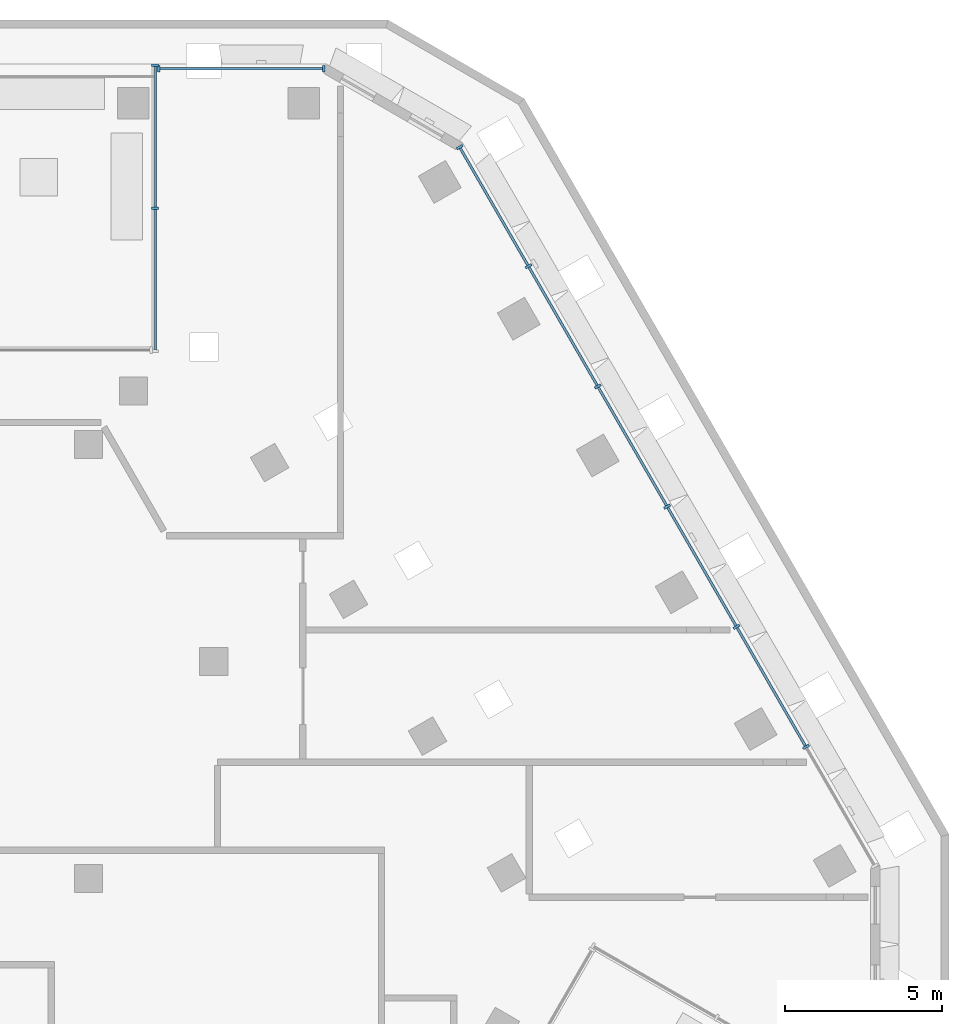
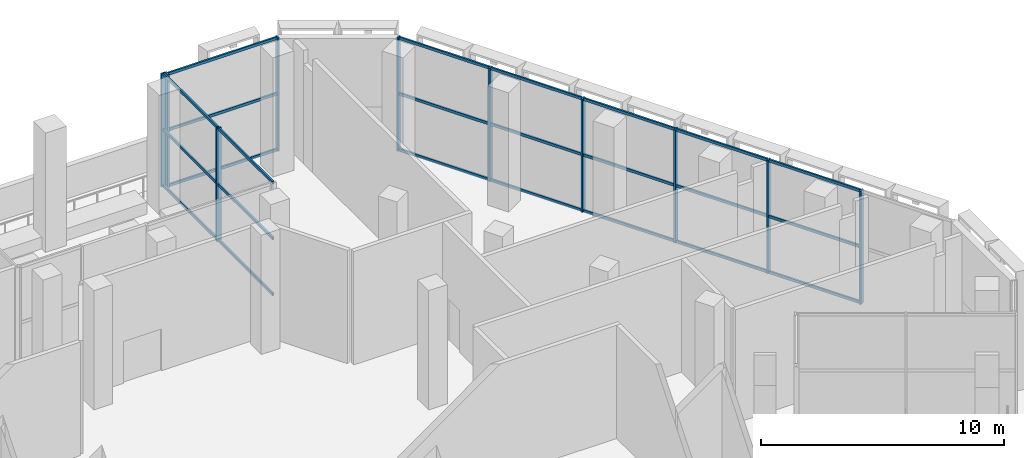
# One storey, part 5 of 23: 34 members, 3 elements without a shape of their own.
"""IFC4 building model written with IfcOpenShell, lengths in metres."""

from ifc_helpers import new_model, si_unit, direction, frame, origin, origin_2d, place, context, subcontext, project, spatial, rectangle, hollow_rectangle, extrude, material, material_profile, profile_set, type_object, element, aggregate, save


model = new_model("IFC4")

# Units and contexts
model_context = context("Model", 3, precision=1e-05, world=origin(), true_north=direction((0.0, 1.0)))
body_context = subcontext(model_context, "Body", "Model", "MODEL_VIEW")
ifc_project = project(units=[si_unit("LENGTHUNIT", "METRE"), si_unit("AREAUNIT", "SQUARE_METRE"), si_unit("VOLUMEUNIT", "CUBIC_METRE"), si_unit("PLANEANGLEUNIT", "RADIAN"), si_unit("MASSUNIT", "GRAM", prefix="KILO")], contexts=[model_context])

# Site, building, storey
site_placement = place(None, origin())
site = spatial("IfcSite", under=ifc_project, at=site_placement, CompositionType="ELEMENT")
building_placement = place(site_placement, origin())
building = spatial("IfcBuilding", under=site, at=building_placement, Name="Beryl Residences", CompositionType="ELEMENT")
storey_placement = place(building_placement, frame((0.0, 0.0, 66.0)))
storey = spatial("IfcBuildingStorey", under=building, at=storey_placement, Name="L20", CompositionType="ELEMENT", Elevation=66.0)

# Curtain wall, members
ifc_material_1 = material(Name="Aluminium and clear glass", Category="aluminium")
curtain_wall_type = type_object("IfcCurtainWallType", Name="CW3 sky garden glazing glazed wall", PredefinedType="NOTDEFINED", material=ifc_material_1)
curtain_wall_1_placement = place(storey_placement, origin())
curtain_wall_1 = element("IfcCurtainWall", 1, at=curtain_wall_1_placement, inside=storey, type_object=curtain_wall_type, Name="CW3 L20 N", PredefinedType="NOTDEFINED")
ifc_material_2 = material(Name="Aluminium", Category="aluminium")
ifc_material_profile_1 = material_profile(ifc_material_2, rectangle(XDim=0.080078125, YDim=0.219970703125, at=origin_2d()))
ifc_profile_set_1 = profile_set([ifc_material_profile_1], Name="Aluminium")
member_type_1 = type_object("IfcMemberType", Name="CW3-M mullion 80 x 220 mm", PredefinedType="MULLION", material=ifc_profile_set_1)
member_1_placement = place(storey_placement, frame((11.467041015625, 26.85009765625, 0.0), z_axis=(0.0, 0.0, 1.0), x_axis=(-1.0, 0.0, 0.0)))
member_1 = element("IfcMember", 2, at=member_1_placement, type_object=member_type_1, Name="CW3 mullion 1", PredefinedType="MULLION", context=body_context, shape_type="SweptSolid", body=[
    extrude(rectangle(XDim=0.080078125, YDim=0.219970703125, at=origin_2d()), origin(), (0.0, 0.0, 1.0), 5.699951171875),
])
member_2_placement = place(storey_placement, frame((6.215087890625, 26.85009765625, 0.0), z_axis=(0.0, 0.0, 1.0), x_axis=(-1.0, 0.0, 0.0)))
member_2 = element("IfcMember", 3, at=member_2_placement, type_object=member_type_1, Name="CW3 mullion 2", PredefinedType="MULLION", context=body_context, shape_type="SweptSolid", body=[
    extrude(rectangle(XDim=0.080078125, YDim=0.219970703125, at=origin_2d()), origin(), (0.0, 0.0, 1.0), 5.699951171875),
])

curtain_wall_2_placement = place(storey_placement, origin())
curtain_wall_2 = element("IfcCurtainWall", 4, at=curtain_wall_2_placement, inside=storey, type_object=curtain_wall_type, Name="CW3 L20 NE", PredefinedType="NOTDEFINED")
member_3_placement = place(storey_placement, frame((26.800537109375, 5.28173828125, 0.0), z_axis=(0.0, 0.0, 1.0), x_axis=(-0.500010149942, 0.866019543634, 0.0)))
member_3 = element("IfcMember", 5, at=member_3_placement, type_object=member_type_1, Name="CW3 mullion 2", PredefinedType="MULLION", context=body_context, shape_type="SweptSolid", body=[
    extrude(rectangle(XDim=0.080078125, YDim=0.219970703125, at=origin_2d()), origin(), (0.0, 0.0, 1.0), 5.699951171875),
])
member_4_placement = place(storey_placement, frame((24.593994140625, 9.103271484375, 0.0), z_axis=(0.0, 0.0, 1.0), x_axis=(-0.500010149942, 0.866019543634, 0.0)))
member_4 = element("IfcMember", 6, at=member_4_placement, type_object=member_type_1, Name="CW3 mullion 3", PredefinedType="MULLION", context=body_context, shape_type="SweptSolid", body=[
    extrude(rectangle(XDim=0.080078125, YDim=0.219970703125, at=origin_2d()), origin(), (0.0, 0.0, 1.0), 5.699951171875),
])
member_5_placement = place(storey_placement, frame((22.387451171875, 12.925048828125, 0.0), z_axis=(0.0, 0.0, 1.0), x_axis=(-0.500010149942, 0.866019543634, 0.0)))
member_5 = element("IfcMember", 7, at=member_5_placement, type_object=member_type_1, Name="CW3 mullion 4", PredefinedType="MULLION", context=body_context, shape_type="SweptSolid", body=[
    extrude(rectangle(XDim=0.080078125, YDim=0.219970703125, at=origin_2d()), origin(), (0.0, 0.0, 1.0), 5.699951171875),
])
member_6_placement = place(storey_placement, frame((20.180908203125, 16.74658203125, 0.0), z_axis=(0.0, 0.0, 1.0), x_axis=(-0.500010149942, 0.866019543634, 0.0)))
member_6 = element("IfcMember", 8, at=member_6_placement, type_object=member_type_1, Name="CW3 mullion 5", PredefinedType="MULLION", context=body_context, shape_type="SweptSolid", body=[
    extrude(rectangle(XDim=0.080078125, YDim=0.219970703125, at=origin_2d()), origin(), (0.0, 0.0, 1.0), 5.699951171875),
])
member_7_placement = place(storey_placement, frame((17.974609375, 20.568359375, 0.0), z_axis=(0.0, 0.0, 1.0), x_axis=(-0.500010149942, 0.866019543634, 0.0)))
member_7 = element("IfcMember", 9, at=member_7_placement, type_object=member_type_1, Name="CW3 mullion 6", PredefinedType="MULLION", context=body_context, shape_type="SweptSolid", body=[
    extrude(rectangle(XDim=0.080078125, YDim=0.219970703125, at=origin_2d()), origin(), (0.0, 0.0, 1.0), 5.699951171875),
])
member_8_placement = place(storey_placement, frame((15.7880859375, 24.35546875, 0.0), z_axis=(0.0, 0.0, 1.0), x_axis=(-0.500010149942, 0.866019543634, 0.0)))
member_8 = element("IfcMember", 10, at=member_8_placement, type_object=member_type_1, Name="CW3 mullion 7", PredefinedType="MULLION", context=body_context, shape_type="SweptSolid", body=[
    extrude(rectangle(XDim=0.080078125, YDim=0.219970703125, at=origin_2d()), origin(), (0.0, 0.0, 1.0), 5.699951171875),
])

curtain_wall_3_placement = place(storey_placement, origin())
curtain_wall_3 = element("IfcCurtainWall", 11, at=curtain_wall_3_placement, inside=storey, type_object=curtain_wall_type, Name="CW3 L20 N garden left", PredefinedType="NOTDEFINED")
member_9_placement = place(storey_placement, frame((6.10009765625, 26.9599609375, 0.0), z_axis=(0.0, 0.0, 1.0), x_axis=(0.0, -1.0, 0.0)))
member_9 = element("IfcMember", 12, at=member_9_placement, type_object=member_type_1, Name="CW3 mullion 1", PredefinedType="MULLION", context=body_context, shape_type="SweptSolid", body=[
    extrude(rectangle(XDim=0.080078125, YDim=0.219970703125, at=origin_2d()), origin(), (0.0, 0.0, 1.0), 5.699951171875),
])
member_10_placement = place(storey_placement, frame((6.10009765625, 22.41259765625, 0.0), z_axis=(0.0, 0.0, 1.0), x_axis=(0.0, -1.0, 0.0)))
member_10 = element("IfcMember", 13, at=member_10_placement, type_object=member_type_1, Name="CW3 mullion 2", PredefinedType="MULLION", context=body_context, shape_type="SweptSolid", body=[
    extrude(rectangle(XDim=0.080078125, YDim=0.219970703125, at=origin_2d()), origin(), (0.0, 0.0, 1.0), 5.699951171875),
])

# Member
ifc_material_3 = material(Name="Aluminium", Category="aluminium")
ifc_material_profile_2 = material_profile(ifc_material_3, hollow_rectangle(XDim=0.080078125, YDim=0.139892578125, WallThickness=0.00390625, at=origin_2d()))
ifc_profile_set_2 = profile_set([ifc_material_profile_2], Name="Aluminium")
member_type_2 = type_object("IfcMemberType", Name="CW3-T transom 80 x 140 mm", PredefinedType="USERDEFINED", material=ifc_profile_set_2)
member_11_placement = place(storey_placement, frame((11.427001953125, 26.85009765625, 0.0400390625), z_axis=(-1.0, 0.0, 0.0), x_axis=(0.0, -1.0, 0.0)))
member_11 = element("IfcMember", 14, at=member_11_placement, type_object=member_type_2, Name="CW3 transom 1.1", ObjectType="TRANSOM", PredefinedType="USERDEFINED", context=body_context, shape_type="SweptSolid", body=[
    extrude(hollow_rectangle(XDim=0.080078125, YDim=0.139892578125, WallThickness=0.00390625, at=origin_2d()), origin(), (0.0, 0.0, 1.0), 5.172119140625),
])

member_12_placement = place(storey_placement, frame((11.427001953125, 26.85009765625, 2.85009765625), z_axis=(-1.0, 0.0, 0.0), x_axis=(0.0, -1.0, 0.0)))
member_12 = element("IfcMember", 15, at=member_12_placement, type_object=member_type_2, Name="CW3 transom 1.2", ObjectType="TRANSOM", PredefinedType="USERDEFINED", context=body_context, shape_type="SweptSolid", body=[
    extrude(hollow_rectangle(XDim=0.080078125, YDim=0.139892578125, WallThickness=0.00390625, at=origin_2d()), origin(), (0.0, 0.0, 1.0), 5.172119140625),
])

member_13_placement = place(storey_placement, frame((11.427001953125, 26.85009765625, 5.659912109375), z_axis=(-1.0, 0.0, 0.0), x_axis=(0.0, -1.0, 0.0)))
member_13 = element("IfcMember", 16, at=member_13_placement, type_object=member_type_2, Name="CW3 transom 1.3", ObjectType="TRANSOM", PredefinedType="USERDEFINED", context=body_context, shape_type="SweptSolid", body=[
    extrude(hollow_rectangle(XDim=0.080078125, YDim=0.139892578125, WallThickness=0.00390625, at=origin_2d()), origin(), (0.0, 0.0, 1.0), 5.172119140625),
])

aggregate(curtain_wall_1, [member_1, member_2, member_11, member_12, member_13])

member_14_placement = place(storey_placement, frame((26.780517578125, 5.31640625, 0.0400390625), z_axis=(-0.500029739169, 0.866008233186, 0.0), x_axis=(-0.866008233186, -0.500029739169, 0.0)))
member_14 = element("IfcMember", 17, at=member_14_placement, type_object=member_type_2, Name="CW3 transom 2.1", ObjectType="TRANSOM", PredefinedType="USERDEFINED", context=body_context, shape_type="SweptSolid", body=[
    extrude(hollow_rectangle(XDim=0.080078125, YDim=0.139892578125, WallThickness=0.00390625, at=origin_2d()), origin(), (0.0, 0.0, 1.0), 4.332763671875),
])

member_15_placement = place(storey_placement, frame((26.780517578125, 5.31640625, 2.85009765625), z_axis=(-0.500029739169, 0.866008233186, 0.0), x_axis=(-0.866008233186, -0.500029739169, 0.0)))
member_15 = element("IfcMember", 18, at=member_15_placement, type_object=member_type_2, Name="CW3 transom 2.2", ObjectType="TRANSOM", PredefinedType="USERDEFINED", context=body_context, shape_type="SweptSolid", body=[
    extrude(hollow_rectangle(XDim=0.080078125, YDim=0.139892578125, WallThickness=0.00390625, at=origin_2d()), origin(), (0.0, 0.0, 1.0), 4.332763671875),
])

member_16_placement = place(storey_placement, frame((26.780517578125, 5.31640625, 5.659912109375), z_axis=(-0.500029739169, 0.866008233186, 0.0), x_axis=(-0.866008233186, -0.500029739169, 0.0)))
member_16 = element("IfcMember", 19, at=member_16_placement, type_object=member_type_2, Name="CW3 transom 2.3", ObjectType="TRANSOM", PredefinedType="USERDEFINED", context=body_context, shape_type="SweptSolid", body=[
    extrude(hollow_rectangle(XDim=0.080078125, YDim=0.139892578125, WallThickness=0.00390625, at=origin_2d()), origin(), (0.0, 0.0, 1.0), 4.332763671875),
])

member_17_placement = place(storey_placement, frame((24.573974609375, 9.137939453125, 0.0400390625), z_axis=(-0.500005339912, 0.866022320763, 0.0), x_axis=(-0.866022320763, -0.500005339912, 0.0)))
member_17 = element("IfcMember", 20, at=member_17_placement, type_object=member_type_2, Name="CW3 transom 3.1", ObjectType="TRANSOM", PredefinedType="USERDEFINED", context=body_context, shape_type="SweptSolid", body=[
    extrude(hollow_rectangle(XDim=0.080078125, YDim=0.139892578125, WallThickness=0.00390625, at=origin_2d()), origin(), (0.0, 0.0, 1.0), 4.3330078125),
])

member_18_placement = place(storey_placement, frame((24.573974609375, 9.137939453125, 2.85009765625), z_axis=(-0.500005339912, 0.866022320763, 0.0), x_axis=(-0.866022320763, -0.500005339912, 0.0)))
member_18 = element("IfcMember", 21, at=member_18_placement, type_object=member_type_2, Name="CW3 transom 3.2", ObjectType="TRANSOM", PredefinedType="USERDEFINED", context=body_context, shape_type="SweptSolid", body=[
    extrude(hollow_rectangle(XDim=0.080078125, YDim=0.139892578125, WallThickness=0.00390625, at=origin_2d()), origin(), (0.0, 0.0, 1.0), 4.3330078125),
])

member_19_placement = place(storey_placement, frame((24.573974609375, 9.137939453125, 5.659912109375), z_axis=(-0.500005339912, 0.866022320763, 0.0), x_axis=(-0.866022320763, -0.500005339912, 0.0)))
member_19 = element("IfcMember", 22, at=member_19_placement, type_object=member_type_2, Name="CW3 transom 3.3", ObjectType="TRANSOM", PredefinedType="USERDEFINED", context=body_context, shape_type="SweptSolid", body=[
    extrude(hollow_rectangle(XDim=0.080078125, YDim=0.139892578125, WallThickness=0.00390625, at=origin_2d()), origin(), (0.0, 0.0, 1.0), 4.3330078125),
])

member_20_placement = place(storey_placement, frame((22.367431640625, 12.959716796875, 0.0400390625), z_axis=(-0.500029739169, 0.866008233186, 0.0), x_axis=(-0.866008233186, -0.500029739169, 0.0)))
member_20 = element("IfcMember", 23, at=member_20_placement, type_object=member_type_2, Name="CW3 transom 4.1", ObjectType="TRANSOM", PredefinedType="USERDEFINED", context=body_context, shape_type="SweptSolid", body=[
    extrude(hollow_rectangle(XDim=0.080078125, YDim=0.139892578125, WallThickness=0.00390625, at=origin_2d()), origin(), (0.0, 0.0, 1.0), 4.332763671875),
])

member_21_placement = place(storey_placement, frame((22.367431640625, 12.959716796875, 2.85009765625), z_axis=(-0.500029739169, 0.866008233186, 0.0), x_axis=(-0.866008233186, -0.500029739169, 0.0)))
member_21 = element("IfcMember", 24, at=member_21_placement, type_object=member_type_2, Name="CW3 transom 4.2", ObjectType="TRANSOM", PredefinedType="USERDEFINED", context=body_context, shape_type="SweptSolid", body=[
    extrude(hollow_rectangle(XDim=0.080078125, YDim=0.139892578125, WallThickness=0.00390625, at=origin_2d()), origin(), (0.0, 0.0, 1.0), 4.332763671875),
])

member_22_placement = place(storey_placement, frame((22.367431640625, 12.959716796875, 5.659912109375), z_axis=(-0.500029739169, 0.866008233186, 0.0), x_axis=(-0.866008233186, -0.500029739169, 0.0)))
member_22 = element("IfcMember", 25, at=member_22_placement, type_object=member_type_2, Name="CW3 transom 4.3", ObjectType="TRANSOM", PredefinedType="USERDEFINED", context=body_context, shape_type="SweptSolid", body=[
    extrude(hollow_rectangle(XDim=0.080078125, YDim=0.139892578125, WallThickness=0.00390625, at=origin_2d()), origin(), (0.0, 0.0, 1.0), 4.332763671875),
])

member_23_placement = place(storey_placement, frame((20.160888671875, 16.78125, 0.0400390625), z_axis=(-0.500005339912, 0.866022320763, 0.0), x_axis=(-0.866022320763, -0.500005339912, 0.0)))
member_23 = element("IfcMember", 26, at=member_23_placement, type_object=member_type_2, Name="CW3 transom 5.1", ObjectType="TRANSOM", PredefinedType="USERDEFINED", context=body_context, shape_type="SweptSolid", body=[
    extrude(hollow_rectangle(XDim=0.080078125, YDim=0.139892578125, WallThickness=0.00390625, at=origin_2d()), origin(), (0.0, 0.0, 1.0), 4.3330078125),
])

member_24_placement = place(storey_placement, frame((20.160888671875, 16.78125, 2.85009765625), z_axis=(-0.500005339912, 0.866022320763, 0.0), x_axis=(-0.866022320763, -0.500005339912, 0.0)))
member_24 = element("IfcMember", 27, at=member_24_placement, type_object=member_type_2, Name="CW3 transom 5.2", ObjectType="TRANSOM", PredefinedType="USERDEFINED", context=body_context, shape_type="SweptSolid", body=[
    extrude(hollow_rectangle(XDim=0.080078125, YDim=0.139892578125, WallThickness=0.00390625, at=origin_2d()), origin(), (0.0, 0.0, 1.0), 4.3330078125),
])

member_25_placement = place(storey_placement, frame((20.160888671875, 16.78125, 5.659912109375), z_axis=(-0.500005339912, 0.866022320763, 0.0), x_axis=(-0.866022320763, -0.500005339912, 0.0)))
member_25 = element("IfcMember", 28, at=member_25_placement, type_object=member_type_2, Name="CW3 transom 5.3", ObjectType="TRANSOM", PredefinedType="USERDEFINED", context=body_context, shape_type="SweptSolid", body=[
    extrude(hollow_rectangle(XDim=0.080078125, YDim=0.139892578125, WallThickness=0.00390625, at=origin_2d()), origin(), (0.0, 0.0, 1.0), 4.3330078125),
])

member_26_placement = place(storey_placement, frame((17.95458984375, 20.60302734375, 0.0400390625), z_axis=(-0.500004696101, 0.866022692473, 0.0), x_axis=(-0.866022692473, -0.500004696101, 0.0)))
member_26 = element("IfcMember", 29, at=member_26_placement, type_object=member_type_2, Name="CW3 transom 6.1", ObjectType="TRANSOM", PredefinedType="USERDEFINED", context=body_context, shape_type="SweptSolid", body=[
    extrude(hollow_rectangle(XDim=0.080078125, YDim=0.139892578125, WallThickness=0.00390625, at=origin_2d()), origin(), (0.0, 0.0, 1.0), 4.29296875),
])

member_27_placement = place(storey_placement, frame((17.95458984375, 20.60302734375, 2.85009765625), z_axis=(-0.500004696101, 0.866022692473, 0.0), x_axis=(-0.866022692473, -0.500004696101, 0.0)))
member_27 = element("IfcMember", 30, at=member_27_placement, type_object=member_type_2, Name="CW3 transom 6.2", ObjectType="TRANSOM", PredefinedType="USERDEFINED", context=body_context, shape_type="SweptSolid", body=[
    extrude(hollow_rectangle(XDim=0.080078125, YDim=0.139892578125, WallThickness=0.00390625, at=origin_2d()), origin(), (0.0, 0.0, 1.0), 4.29296875),
])

member_28_placement = place(storey_placement, frame((17.95458984375, 20.60302734375, 5.659912109375), z_axis=(-0.500004696101, 0.866022692473, 0.0), x_axis=(-0.866022692473, -0.500004696101, 0.0)))
member_28 = element("IfcMember", 31, at=member_28_placement, type_object=member_type_2, Name="CW3 transom 6.3", ObjectType="TRANSOM", PredefinedType="USERDEFINED", context=body_context, shape_type="SweptSolid", body=[
    extrude(hollow_rectangle(XDim=0.080078125, YDim=0.139892578125, WallThickness=0.00390625, at=origin_2d()), origin(), (0.0, 0.0, 1.0), 4.29296875),
])

aggregate(curtain_wall_2, [member_3, member_4, member_5, member_6, member_7, member_8, member_14, member_15, member_16, member_17, member_18, member_19, member_20, member_21, member_22, member_23, member_24, member_25, member_26, member_27, member_28])

member_29_placement = place(storey_placement, frame((6.10009765625, 26.919921875, 0.0400390625), z_axis=(0.0, -1.0, 0.0), x_axis=(1.0, 0.0, 0.0)))
member_29 = element("IfcMember", 32, at=member_29_placement, type_object=member_type_2, Name="CW3 transom 1.1", ObjectType="TRANSOM", PredefinedType="USERDEFINED", context=body_context, shape_type="SweptSolid", body=[
    extrude(hollow_rectangle(XDim=0.080078125, YDim=0.139892578125, WallThickness=0.00390625, at=origin_2d()), origin(), (0.0, 0.0, 1.0), 4.467529296875),
])

member_30_placement = place(storey_placement, frame((6.10009765625, 26.919921875, 2.85009765625), z_axis=(0.0, -1.0, 0.0), x_axis=(1.0, 0.0, 0.0)))
member_30 = element("IfcMember", 33, at=member_30_placement, type_object=member_type_2, Name="CW3 transom 1.2", ObjectType="TRANSOM", PredefinedType="USERDEFINED", context=body_context, shape_type="SweptSolid", body=[
    extrude(hollow_rectangle(XDim=0.080078125, YDim=0.139892578125, WallThickness=0.00390625, at=origin_2d()), origin(), (0.0, 0.0, 1.0), 4.467529296875),
])

member_31_placement = place(storey_placement, frame((6.10009765625, 26.919921875, 5.659912109375), z_axis=(0.0, -1.0, 0.0), x_axis=(1.0, 0.0, 0.0)))
member_31 = element("IfcMember", 34, at=member_31_placement, type_object=member_type_2, Name="CW3 transom 1.3", ObjectType="TRANSOM", PredefinedType="USERDEFINED", context=body_context, shape_type="SweptSolid", body=[
    extrude(hollow_rectangle(XDim=0.080078125, YDim=0.139892578125, WallThickness=0.00390625, at=origin_2d()), origin(), (0.0, 0.0, 1.0), 4.467529296875),
])

member_32_placement = place(storey_placement, frame((6.10009765625, 22.37255859375, 0.0400390625), z_axis=(0.0, -1.0, 0.0), x_axis=(1.0, 0.0, 0.0)))
member_32 = element("IfcMember", 35, at=member_32_placement, type_object=member_type_2, Name="CW3 transom 2.1", ObjectType="TRANSOM", PredefinedType="USERDEFINED", context=body_context, shape_type="SweptSolid", body=[
    extrude(hollow_rectangle(XDim=0.080078125, YDim=0.139892578125, WallThickness=0.00390625, at=origin_2d()), origin(), (0.0, 0.0, 1.0), 4.467529296875),
])

member_33_placement = place(storey_placement, frame((6.10009765625, 22.37255859375, 2.85009765625), z_axis=(0.0, -1.0, 0.0), x_axis=(1.0, 0.0, 0.0)))
member_33 = element("IfcMember", 36, at=member_33_placement, type_object=member_type_2, Name="CW3 transom 2.2", ObjectType="TRANSOM", PredefinedType="USERDEFINED", context=body_context, shape_type="SweptSolid", body=[
    extrude(hollow_rectangle(XDim=0.080078125, YDim=0.139892578125, WallThickness=0.00390625, at=origin_2d()), origin(), (0.0, 0.0, 1.0), 4.467529296875),
])

member_34_placement = place(storey_placement, frame((6.10009765625, 22.37255859375, 5.659912109375), z_axis=(0.0, -1.0, 0.0), x_axis=(1.0, 0.0, 0.0)))
member_34 = element("IfcMember", 37, at=member_34_placement, type_object=member_type_2, Name="CW3 transom 2.3", ObjectType="TRANSOM", PredefinedType="USERDEFINED", context=body_context, shape_type="SweptSolid", body=[
    extrude(hollow_rectangle(XDim=0.080078125, YDim=0.139892578125, WallThickness=0.00390625, at=origin_2d()), origin(), (0.0, 0.0, 1.0), 4.467529296875),
])

aggregate(curtain_wall_3, [member_9, member_10, member_29, member_30, member_31, member_32, member_33, member_34])

save(model, "model.ifc")
